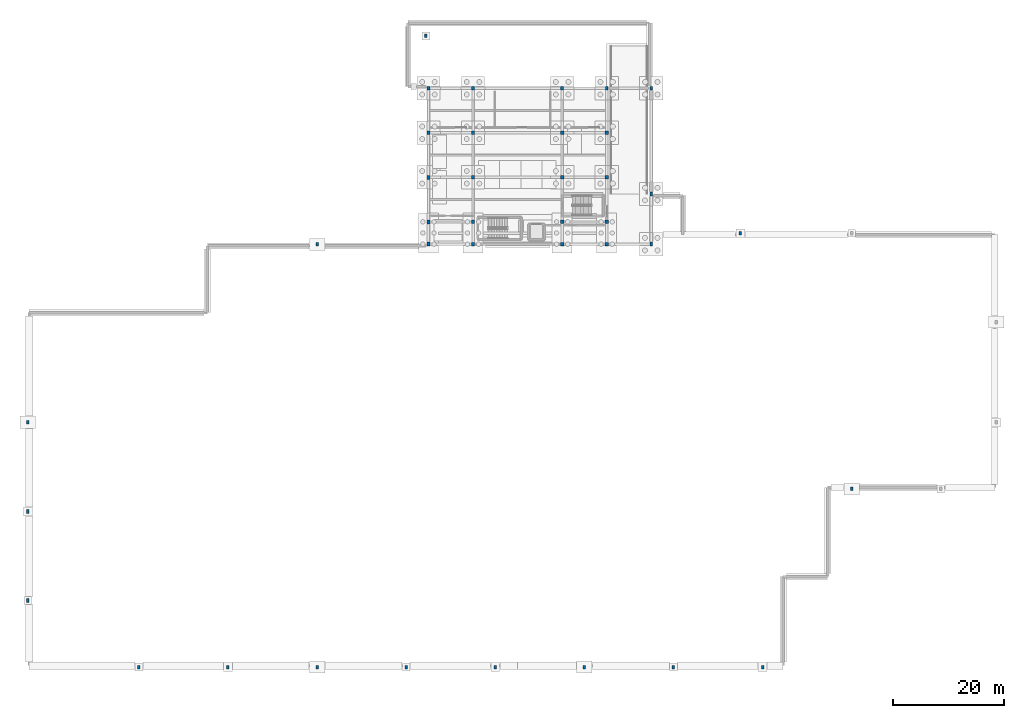
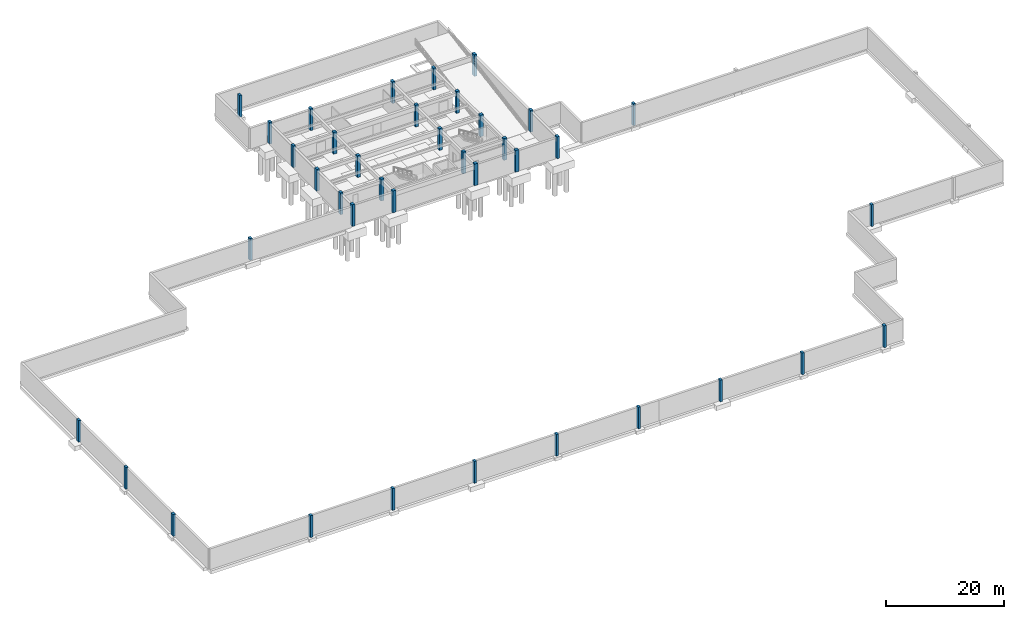
# One storey, part 3 of 11: 38 columns.
"""IFC4 building model written with IfcOpenShell, lengths in metres."""

from ifc_helpers import new_model, si_unit, direction, frame, origin, origin_2d, place, context, subcontext, project, spatial, rectangle, extrude, material, material_profile, profile_set, type_object, element, save


model = new_model("IFC4")

# Units and contexts
model_context = context("Model", 3, precision=1e-05, world=origin(), true_north=direction((0.0, 1.0)))
body_context = subcontext(model_context, "Body", "Model", "MODEL_VIEW")
ifc_project = project(units=[si_unit("LENGTHUNIT", "METRE"), si_unit("AREAUNIT", "SQUARE_METRE"), si_unit("VOLUMEUNIT", "CUBIC_METRE"), si_unit("PLANEANGLEUNIT", "RADIAN"), si_unit("MASSUNIT", "GRAM", prefix="KILO")], contexts=[model_context])

# Site, building, storey
site_placement = place(None, origin())
site = spatial("IfcSite", under=ifc_project, at=site_placement, CompositionType="ELEMENT")
building_placement = place(site_placement, origin())
building = spatial("IfcBuilding", under=site, at=building_placement, Name="Serraluz Foothill Cableway Terminal", CompositionType="ELEMENT")
storey_placement = place(building_placement, frame((0.0, 0.0, -4.5)))
storey = spatial("IfcBuildingStorey", under=building, at=storey_placement, Name="B1", CompositionType="ELEMENT", Elevation=-4.5)

# Columns
ifc_material_1 = material(Name="Concrete C35/45 (f'c 35 MPa)", Category="concrete")
ifc_material_profile_1 = material_profile(ifc_material_1, rectangle(XDim=0.5, YDim=0.699951171875, at=origin_2d()), Name="RC 500x700")
ifc_profile_set_1 = profile_set([ifc_material_profile_1], Name="Concrete C35/45 (f'c 35 MPa)")
column_type_1 = type_object("IfcColumnType", Name="TYP-COL-RC500X700", PredefinedType="COLUMN", material=ifc_profile_set_1)
for number, where, z_axis, x_axis, name in (
    (1, (72.0, 76.0, 0.0), (0.0, 0.0, 1.0), (1.0, 0.0, 0.0), "Column COL-V4-72-760-B1"),
    (2, (72.0, 80.0, 0.0), (0.0, 0.0, 1.0), (1.0, 0.0, 0.0), "Column COL-V4-72-800-B1"),
    (3, (72.0, 88.0, 0.0), (0.0, 0.0, 1.0), (1.0, 0.0, 0.0), "Column COL-V4-72-880-B1"),
    (4, (72.0, 96.0, 0.0), (0.0, 0.0, 1.0), (1.0, 0.0, 0.0), "Column COL-V4-72-960-B1"),
    (5, (72.0, 104.0, 0.0), (0.0, 0.0, 1.0), (1.0, 0.0, 0.0), "Column COL-V4-72-1040-B1"),
    (6, (80.0, 104.0, 0.0), (0.0, 0.0, 1.0), (1.0, 0.0, 0.0), "Column COL-V4-80-1040-B1"),
    (7, (96.0, 104.0, 0.0), (0.0, 0.0, 1.0), (1.0, 0.0, 0.0), "Column COL-V4-96-1040-B1"),
    (8, (104.0, 104.0, 0.0), (0.0, 0.0, 1.0), (1.0, 0.0, 0.0), "Column COL-V4-104-1040-B1"),
    (9, (112.0, 76.0, 0.0), (0.0, 0.0, 1.0), (1.0, 0.0, 0.0), "Column COL-V4-112-760-B1"),
    (10, (112.0, 85.0, 0.0), (0.0, 0.0, 1.0), (1.0, 0.0, 0.0), "Column COL-V4-112-850-B1"),
    (11, (112.0, 104.0, 0.0), (0.0, 0.0, 1.0), (1.0, 0.0, 0.0), "Column COL-V4-112-1040-B1"),
):
    element("IfcColumn", number, at=place(storey_placement, frame(where, z_axis=z_axis, x_axis=x_axis)), inside=storey, type_object=column_type_1, Name=name, PredefinedType="COLUMN", context=body_context, shape_type="SweptSolid", body=[
        extrude(rectangle(XDim=0.5, YDim=0.699951171875, at=origin_2d()), origin(), (0.0, 0.0, 1.0), 4.5),
    ])
ifc_material_profile_2 = material_profile(ifc_material_1, rectangle(XDim=0.60009765625, YDim=0.60009765625, at=origin_2d()), Name="RC 600x600")
ifc_profile_set_2 = profile_set([ifc_material_profile_2], Name="Concrete C35/45 (f'c 35 MPa)")
column_type_2 = type_object("IfcColumnType", Name="TYP-COL-RC600", PredefinedType="COLUMN", material=ifc_profile_set_2)
for number, where, z_axis, x_axis, name in (
    (12, (80.0, 76.0, 0.0), (0.0, 0.0, 1.0), (1.0, 0.0, 0.0), "Column COL-V4-80-760-B1"),
    (13, (80.0, 80.0, 0.0), (0.0, 0.0, 1.0), (1.0, 0.0, 0.0), "Column COL-V4-80-800-B1"),
    (14, (80.0, 88.0, 0.0), (0.0, 0.0, 1.0), (1.0, 0.0, 0.0), "Column COL-V4-80-880-B1"),
    (15, (80.0, 96.0, 0.0), (0.0, 0.0, 1.0), (1.0, 0.0, 0.0), "Column COL-V4-80-960-B1"),
    (16, (96.0, 76.0, 0.0), (0.0, 0.0, 1.0), (1.0, 0.0, 0.0), "Column COL-V4-96-760-B1"),
    (17, (96.0, 80.0, 0.0), (0.0, 0.0, 1.0), (1.0, 0.0, 0.0), "Column COL-V4-96-800-B1"),
    (18, (96.0, 88.0, 0.0), (0.0, 0.0, 1.0), (1.0, 0.0, 0.0), "Column COL-V4-96-880-B1"),
    (19, (96.0, 96.0, 0.0), (0.0, 0.0, 1.0), (1.0, 0.0, 0.0), "Column COL-V4-96-960-B1"),
    (20, (104.0, 76.0, 0.0), (0.0, 0.0, 1.0), (1.0, 0.0, 0.0), "Column COL-V4-104-760-B1"),
    (21, (104.0, 80.0, 0.0), (0.0, 0.0, 1.0), (1.0, 0.0, 0.0), "Column COL-V4-104-800-B1"),
    (22, (104.0, 88.0, 0.0), (0.0, 0.0, 1.0), (1.0, 0.0, 0.0), "Column COL-V4-104-880-B1"),
    (23, (104.0, 96.0, 0.0), (0.0, 0.0, 1.0), (1.0, 0.0, 0.0), "Column COL-V4-104-960-B1"),
):
    element("IfcColumn", number, at=place(storey_placement, frame(where, z_axis=z_axis, x_axis=x_axis)), inside=storey, type_object=column_type_2, Name=name, PredefinedType="COLUMN", context=body_context, shape_type="SweptSolid", body=[
        extrude(rectangle(XDim=0.60009765625, YDim=0.60009765625, at=origin_2d()), origin(), (0.0, 0.0, 1.0), 4.5),
    ])
ifc_material_2 = material(Name="Andean basalt ashlar masonry (f'm 18 MPa)", Category="masonry")
ifc_material_profile_3 = material_profile(ifc_material_2, rectangle(XDim=0.449951171875, YDim=0.64990234375, at=origin_2d()), Name="PIL 450x650")
ifc_profile_set_3 = profile_set([ifc_material_profile_3], Name="Andean basalt ashlar masonry (f'm 18 MPa)")
column_type_3 = type_object("IfcColumnType", Name="TYP-PIL-450X650", PredefinedType="PILASTER", material=ifc_profile_set_3)
for number, where, z_axis, x_axis, name in (
    (24, (71.550048828125, 113.39990234375, 0.0), (0.0, 0.0, 1.0), (1.0, 0.0, 0.0), "Brick Pilaster Pier PL-27 B1"),
    (25, (20.0, 0.050048828125, 0.0), (0.0, 0.0, 1.0), (1.0, 0.0, 0.0), "Brick Pilaster Pier PL-42 B1"),
    (26, (36.0, 0.050048828125, 0.0), (0.0, 0.0, 1.0), (1.0, 0.0, 0.0), "Brick Pilaster Pier PL-43 B1"),
    (27, (52.0, 0.050048828125, 0.0), (0.0, 0.0, 1.0), (1.0, 0.0, 0.0), "Brick Pilaster Pier PL-44 B1"),
    (28, (68.0, 0.050048828125, 0.0), (0.0, 0.0, 1.0), (1.0, 0.0, 0.0), "Brick Pilaster Pier PL-45 B1"),
    (29, (84.0, 0.050048828125, 0.0), (0.0, 0.0, 1.0), (1.0, 0.0, 0.0), "Brick Pilaster Pier PL-46 B1"),
    (30, (100.0, 0.050048828125, 0.0), (0.0, 0.0, 1.0), (1.0, 0.0, 0.0), "Brick Pilaster Pier PL-47 B1"),
    (31, (116.0, 0.050048828125, 0.0), (0.0, 0.0, 1.0), (1.0, 0.0, 0.0), "Brick Pilaster Pier PL-48 B1"),
    (32, (132.0, 0.050048828125, 0.0), (0.0, 0.0, 1.0), (1.0, 0.0, 0.0), "Brick Pilaster Pier PL-49 B1"),
    (33, (148.0, 32.050048828125, 0.0), (0.0, 0.0, 1.0), (1.0, 0.0, 0.0), "Brick Pilaster Pier PL-50 B1"),
    (34, (128.0, 77.949951171875, 0.0), (0.0, 0.0, 1.0), (1.0, 0.0, 0.0), "Brick Pilaster Pier PL-55 B1"),
    (35, (52.0, 75.949951171875, 0.0), (0.0, 0.0, 1.0), (1.0, 0.0, 0.0), "Brick Pilaster Pier PL-56 B1"),
    (36, (0.050048828125, 12.0, 0.0), (0.0, 0.0, 1.0), (1.0, 0.0, 0.0), "Brick Pilaster Pier PL-57 B1"),
    (37, (0.050048828125, 28.0, 0.0), (0.0, 0.0, 1.0), (1.0, 0.0, 0.0), "Brick Pilaster Pier PL-58 B1"),
    (38, (0.050048828125, 44.0, 0.0), (0.0, 0.0, 1.0), (1.0, 0.0, 0.0), "Brick Pilaster Pier PL-59 B1"),
):
    element("IfcColumn", number, at=place(storey_placement, frame(where, z_axis=z_axis, x_axis=x_axis)), inside=storey, type_object=column_type_3, Name=name, PredefinedType="PILASTER", context=body_context, shape_type="SweptSolid", body=[
        extrude(rectangle(XDim=0.449951171875, YDim=0.64990234375, at=origin_2d()), origin(), (0.0, 0.0, 1.0), 4.5),
    ])

save(model, "model.ifc")
